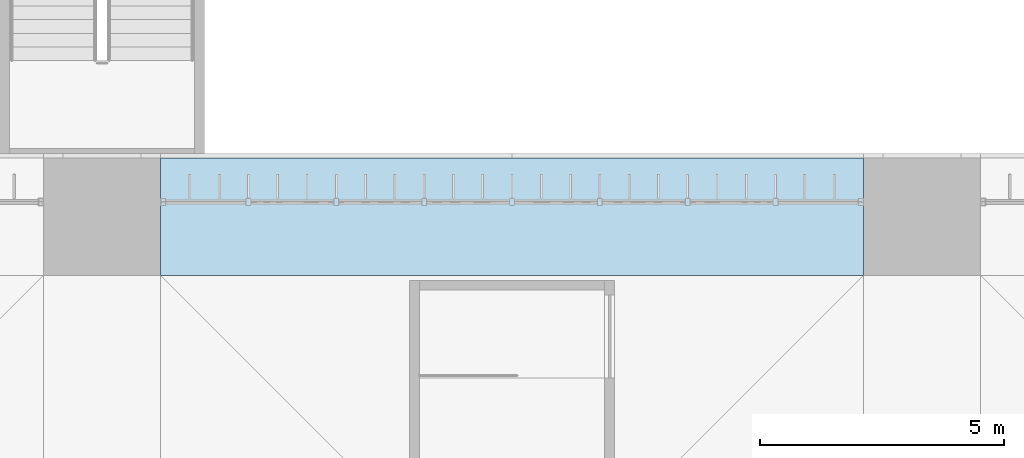
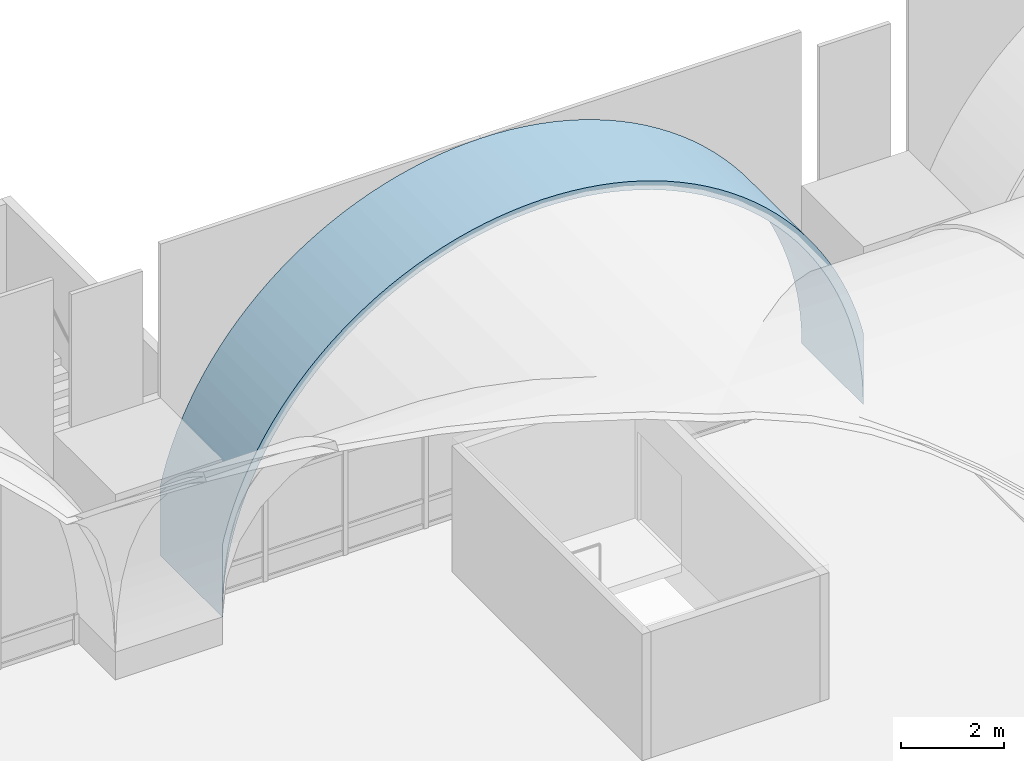
# One storey, part 137 of 169: 1 roof.
"""IFC4 building model written with IfcOpenShell, lengths in metres."""

import ifcopenshell
import ifcopenshell.guid

model = None  # the IFC model being written
_history = None  # IfcOwnerHistory: only IFC2X3 demands one
_inside = {}  # id of a spatial element -> (the spatial element, [elements in it])
_under = {}  # id of a project, library or spatial element -> (it, [spatial elements below it])
_declared = {}  # id of a project -> (the project, [libraries it declares])
_typed = {}  # id of a type object -> (the type object, [elements of that type])
_made_of = {}  # id of a material, layer set ... -> (it, [elements and type objects made of it])


def new_model(schema):
    """Start an empty IFC model of exactly this schema.

    Asked for "IFC4X3", IfcOpenShell would pick the latest addendum, in which some entities
    have other attributes; the version numbers below select the first issue.
    IFC2X3 requires an IfcOwnerHistory on every rooted entity: one is made here for all.
    """
    global model, _history
    if schema == "IFC4X3":
        model = ifcopenshell.file(schema_version=(4, 3, 0, 0))
    else:
        model = ifcopenshell.file(schema=schema)
    _inside.clear()
    _under.clear()
    _declared.clear()
    _typed.clear()
    _made_of.clear()
    _history = None
    if model.schema == "IFC2X3":
        org = make("IfcOrganization", Name="unknown")
        user = make(
            "IfcPersonAndOrganization",
            ThePerson=make("IfcPerson", FamilyName="unknown"),
            TheOrganization=org,
        )
        app = make(
            "IfcApplication",
            ApplicationDeveloper=org,
            Version="unknown",
            ApplicationFullName="unknown",
            ApplicationIdentifier="unknown",
        )
        _history = make(
            "IfcOwnerHistory",
            OwningUser=user,
            OwningApplication=app,
            ChangeAction="ADDED",
            CreationDate=0,
        )
    return model


def make(cls, **values):
    """One entity of the class cls with the attributes given. An attribute that is None is left unset."""
    return model.create_entity(
        cls, **{name: value for name, value in values.items() if value is not None}
    )


def rooted(cls, **values):
    """An entity with a GlobalId (a new one), such as an element, a storey or a relation."""
    return make(cls, GlobalId=ifcopenshell.guid.new(), OwnerHistory=_history, **values)


def si_unit(unit_type, name, prefix=None):
    """IfcSIUnit, for example si_unit("LENGTHUNIT", "METRE", prefix="MILLI")."""
    return make("IfcSIUnit", UnitType=unit_type, Prefix=prefix, Name=name)


def assignment(units):
    """IfcUnitAssignment: the units of a project."""
    return None if units is None else make("IfcUnitAssignment", Units=units)


def point(xyz):
    """IfcCartesianPoint."""
    return None if xyz is None else make("IfcCartesianPoint", Coordinates=xyz)


def direction(xyz):
    """IfcDirection."""
    return None if xyz is None else make("IfcDirection", DirectionRatios=xyz)


def frame(location, z_axis=None, x_axis=None):
    """IfcAxis2Placement3D, a coordinate frame: its origin and axes. An axis left out is left unset."""
    return make(
        "IfcAxis2Placement3D",
        Location=point(location),
        Axis=direction(z_axis),
        RefDirection=direction(x_axis),
    )


def origin():
    """The frame at (0, 0, 0) with its axes left unset."""
    return frame((0.0, 0.0, 0.0))


def place(relative_to, where):
    """IfcLocalPlacement: puts the frame where relative to a parent placement (None: the world)."""
    return make(
        "IfcLocalPlacement", PlacementRelTo=relative_to, RelativePlacement=where
    )


def context(
    kind, dimensions, precision=None, world=None, true_north=None, identifier=None
):
    """IfcGeometricRepresentationContext, for example the 3D "Model" context."""
    return make(
        "IfcGeometricRepresentationContext",
        ContextIdentifier=identifier,
        ContextType=kind,
        CoordinateSpaceDimension=dimensions,
        Precision=precision,
        WorldCoordinateSystem=world,
        TrueNorth=true_north,
    )


def subcontext(parent, identifier, kind, view, scale=None):
    """IfcGeometricRepresentationSubContext, for example "Body" below "Model"."""
    return make(
        "IfcGeometricRepresentationSubContext",
        ContextIdentifier=identifier,
        ContextType=kind,
        ParentContext=parent,
        TargetScale=scale,
        TargetView=view,
    )


def project(units=None, contexts=None):
    """IfcProject with its units and contexts."""
    return rooted(
        "IfcProject",
        Name="project",
        RepresentationContexts=contexts,
        UnitsInContext=assignment(units),
    )


def spatial(cls, under=None, at=None, **own):
    """A site, building, storey or space (cls), placed at a placement, below another one or the project."""
    s = rooted(cls, ObjectPlacement=at, **own)
    if under is not None:
        _under.setdefault(under.id(), (under, []))[1].append(s)
    return s


def point_list(points):
    """IfcCartesianPointList2D or 3D."""
    cls = (
        "IfcCartesianPointList2D" if len(points[0]) == 2 else "IfcCartesianPointList3D"
    )
    return make(cls, CoordList=points)


def polygons(points, faces, closed=None, point_numbers=None):
    """IfcPolygonalFaceSet: a face is its outer loop, then its inner loops; points numbered from 1."""
    made = []
    for loops in faces:
        if len(loops) == 1:
            made.append(make("IfcIndexedPolygonalFace", CoordIndex=loops[0]))
        else:
            made.append(
                make(
                    "IfcIndexedPolygonalFaceWithVoids",
                    CoordIndex=loops[0],
                    InnerCoordIndices=loops[1:],
                )
            )
    return make(
        "IfcPolygonalFaceSet",
        Coordinates=point_list(points),
        Closed=closed,
        Faces=made,
        PnIndex=point_numbers,
    )


def shape(context_of_items, identifier, shape_type, items):
    """IfcShapeRepresentation: the items that make up one representation, for example the "Body"."""
    return make(
        "IfcShapeRepresentation",
        ContextOfItems=context_of_items,
        RepresentationIdentifier=identifier,
        RepresentationType=shape_type,
        Items=items,
    )


def material(Name=None, Category=None):
    """IfcMaterial."""
    return make("IfcMaterial", Name=Name, Category=Category)


def layer(
    of_material, thickness, ventilated=None, Name=None, Category=None, Priority=None
):
    """IfcMaterialLayer: one layer of a wall or slab, of a material (None: an air gap)."""
    return make(
        "IfcMaterialLayer",
        Material=of_material,
        LayerThickness=thickness,
        IsVentilated=ventilated,
        Name=Name,
        Category=Category,
        Priority=Priority,
    )


def layer_set(layers, Name=None):
    """IfcMaterialLayerSet."""
    return make("IfcMaterialLayerSet", MaterialLayers=layers, LayerSetName=Name)


def made_of(thing, what):
    """Note that an element or type object is made of a material, layer set ...; save() writes the relation."""
    if what is not None:
        _made_of.setdefault(what.id(), (what, []))[1].append(thing)
    return thing


def type_object(cls, material=None, **own):
    """A type object (cls), such as IfcWallType, which elements share."""
    return made_of(rooted(cls, **own), material)


def element(
    cls,
    number,
    at=None,
    inside=None,
    cuts=None,
    type_object=None,
    material=None,
    context=None,
    identifier="Body",
    shape_type=None,
    held_by="IfcProductDefinitionShape",
    body=None,
    shapes=None,
    **own,
):
    """One element of the class cls, such as IfcWall. Its Tag is "e" and its number.

    at: its placement. inside: the storey or other place that contains it. cuts: it is an
    opening in that element (IfcRelVoidsElement). A single representation is given by context,
    identifier, shape_type and body (its items); several are given by shapes. held_by: the class
    of the entity that holds the representations. save() writes the other relations.
    """
    e = rooted(cls, Tag="e%d" % number, ObjectPlacement=at, **own)
    if body is not None:
        shapes = [shape(context, identifier, shape_type, body)]
    if shapes is not None:
        e.Representation = make(held_by, Representations=shapes)
    if inside is not None:
        _inside.setdefault(inside.id(), (inside, []))[1].append(e)
    if cuts is not None:
        rooted(
            "IfcRelVoidsElement", RelatingBuildingElement=cuts, RelatedOpeningElement=e
        )
    if type_object is not None:
        _typed.setdefault(type_object.id(), (type_object, []))[1].append(e)
    return made_of(e, material)


def aggregate(whole, parts):
    """IfcRelAggregates: a whole, such as a stair, and the parts it consists of."""
    return rooted("IfcRelAggregates", RelatingObject=whole, RelatedObjects=parts)


def save(model, path):
    """Write the relations noted so far, then the file.

    IfcRelAggregates (storeys below a building ...), IfcRelContainedInSpatialStructure (elements
    in a storey), IfcRelDefinesByType, IfcRelAssociatesMaterial and IfcRelDeclares: one each for
    every whole, place, type object, material and project.
    """
    for whole, parts in _under.values():
        aggregate(whole, parts)
    for where, things in _inside.values():
        rooted(
            "IfcRelContainedInSpatialStructure",
            RelatedElements=things,
            RelatingStructure=where,
        )
    for kind, things in _typed.values():
        rooted("IfcRelDefinesByType", RelatedObjects=things, RelatingType=kind)
    for what, things in _made_of.values():
        rooted("IfcRelAssociatesMaterial", RelatedObjects=things, RelatingMaterial=what)
    for by, libraries in _declared.values():
        rooted("IfcRelDeclares", RelatingContext=by, RelatedDefinitions=libraries)
    model.write(path)


model = new_model("IFC4")

# Units and contexts
model_context = context("Model", 3, precision=1e-05, world=origin(), true_north=direction((0.0, 1.0)))
body_context = subcontext(model_context, "Body", "Model", "MODEL_VIEW")
ifc_project = project(units=[si_unit("LENGTHUNIT", "METRE"), si_unit("AREAUNIT", "SQUARE_METRE"), si_unit("VOLUMEUNIT", "CUBIC_METRE"), si_unit("PLANEANGLEUNIT", "RADIAN"), si_unit("MASSUNIT", "GRAM", prefix="KILO")], contexts=[model_context])

# Site, building, storey
site_placement = place(None, origin())
site = spatial("IfcSite", under=ifc_project, at=site_placement, CompositionType="ELEMENT")
building_placement = place(site_placement, origin())
building = spatial("IfcBuilding", under=site, at=building_placement, Name="Verrick Yard Athletic Hall", CompositionType="ELEMENT")
storey_placement = place(building_placement, frame((0.0, 0.0, 4.39990234375)))
storey = spatial("IfcBuildingStorey", under=building, at=storey_placement, Name="L01", CompositionType="ELEMENT", Elevation=4.39990234375)

# Roof
ifc_material = material(Name="Concrete 35 MPa", Category="concrete")
ifc_layer = layer(ifc_material, 0.199951171875)
ifc_layer_set = layer_set([ifc_layer], Name="Arch rib 200")
roof_type = type_object("IfcRoofType", Name="Arch rib 200", PredefinedType="BARREL_ROOF", material=ifc_layer_set)
roof_placement = place(storey_placement, origin())
element("IfcRoof", 1, at=roof_placement, inside=storey, type_object=roof_type, Name="Vault rib N5", PredefinedType="BARREL_ROOF", context=body_context, shape_type="Tessellation", body=[
    polygons([(108.39990234375, 51.60009765625, 2.352294921875), (108.39990234375, 51.60009765625, 0.650146484375), (108.406982421875, 51.60009765625, 0.964111328125), (108.427490234375, 51.60009765625, 1.277587890625), (108.461669921875, 51.60009765625, 1.58984375), (108.509521484375, 51.60009765625, 1.900390625), (108.57080078125, 51.60009765625, 2.20849609375), (108.645263671875, 51.60009765625, 2.513671875), (108.733154296875, 51.60009765625, 2.815185546875), (108.834228515625, 51.60009765625, 3.112548828125), (108.947998046875, 51.60009765625, 3.405517578125), (109.07470703125, 51.60009765625, 3.693115234375), (109.21337890625, 51.60009765625, 3.974609375), (109.364501953125, 51.60009765625, 4.25), (109.527587890625, 51.60009765625, 4.518798828125), (109.7021484375, 51.60009765625, 4.77978515625), (109.887939453125, 51.60009765625, 5.033203125), (110.08447265625, 51.60009765625, 5.278076171875), (110.29150390625, 51.60009765625, 5.514404296875), (110.5087890625, 51.60009765625, 5.7412109375), (110.73583984375, 51.60009765625, 5.95849609375), (110.971923828125, 51.60009765625, 6.16552734375), (111.216796875, 51.60009765625, 6.3623046875), (111.47021484375, 51.60009765625, 6.548095703125), (111.7314453125, 51.60009765625, 6.722412109375), (112.0, 51.60009765625, 6.885498046875), (112.275390625, 51.60009765625, 7.03662109375), (112.55712890625, 51.60009765625, 7.175537109375), (112.8447265625, 51.60009765625, 7.302001953125), (113.137451171875, 51.60009765625, 7.416015625), (113.434814453125, 51.60009765625, 7.516845703125), (113.736572265625, 51.60009765625, 7.604736328125), (114.04150390625, 51.60009765625, 7.679443359375), (114.349609375, 51.60009765625, 7.74072265625), (114.66015625, 51.60009765625, 7.78857421875), (114.972412109375, 51.60009765625, 7.82275390625), (115.285888671875, 51.60009765625, 7.84326171875), (115.60009765625, 51.60009765625, 7.85009765625), (115.9140625, 51.60009765625, 7.84326171875), (116.2275390625, 51.60009765625, 7.82275390625), (116.539794921875, 51.60009765625, 7.78857421875), (116.850341796875, 51.60009765625, 7.74072265625), (117.158447265625, 51.60009765625, 7.679443359375), (117.46337890625, 51.60009765625, 7.604736328125), (117.76513671875, 51.60009765625, 7.516845703125), (118.0625, 51.60009765625, 7.416015625), (118.355224609375, 51.60009765625, 7.302001953125), (118.642822265625, 51.60009765625, 7.175537109375), (118.924560546875, 51.60009765625, 7.03662109375), (119.199951171875, 51.60009765625, 6.885498046875), (119.468505859375, 51.60009765625, 6.722412109375), (119.729736328125, 51.60009765625, 6.548095703125), (119.983154296875, 51.60009765625, 6.3623046875), (120.22802734375, 51.60009765625, 6.16552734375), (120.464111328125, 51.60009765625, 5.95849609375), (120.691162109375, 51.60009765625, 5.7412109375), (120.908447265625, 51.60009765625, 5.514404296875), (121.115478515625, 51.60009765625, 5.278076171875), (121.31201171875, 51.60009765625, 5.033203125), (121.497802734375, 51.60009765625, 4.77978515625), (121.67236328125, 51.60009765625, 4.518798828125), (121.83544921875, 51.60009765625, 4.25), (121.986572265625, 51.60009765625, 3.974609375), (122.12548828125, 51.60009765625, 3.693115234375), (122.251953125, 51.60009765625, 3.405517578125), (122.36572265625, 51.60009765625, 3.112548828125), (122.466796875, 51.60009765625, 2.815185546875), (122.5546875, 51.60009765625, 2.513671875), (122.62939453125, 51.60009765625, 2.20849609375), (122.690673828125, 51.60009765625, 1.900390625), (122.73828125, 51.60009765625, 1.58984375), (122.772705078125, 51.60009765625, 1.277587890625), (122.793212890625, 51.60009765625, 0.964111328125), (122.800048828125, 51.60009765625, 0.650146484375), (122.800048828125, 51.60009765625, 2.352294921875), (122.747802734375, 51.60009765625, 2.5654296875), (122.657470703125, 51.60009765625, 2.875244140625), (122.5537109375, 51.60009765625, 3.180908203125), (122.436767578125, 51.60009765625, 3.48193359375), (122.306640625, 51.60009765625, 3.777587890625), (122.163818359375, 51.60009765625, 4.06689453125), (122.008544921875, 51.60009765625, 4.35009765625), (121.841064453125, 51.60009765625, 4.6259765625), (121.66162109375, 51.60009765625, 4.89453125), (121.470703125, 51.60009765625, 5.15478515625), (121.268798828125, 51.60009765625, 5.40673828125), (121.055908203125, 51.60009765625, 5.6494140625), (120.83251953125, 51.60009765625, 5.8828125), (120.599365234375, 51.60009765625, 6.10595703125), (120.356689453125, 51.60009765625, 6.31884765625), (120.104736328125, 51.60009765625, 6.52099609375), (119.844482421875, 51.60009765625, 6.7119140625), (119.575927734375, 51.60009765625, 6.89111328125), (119.300048828125, 51.60009765625, 7.05859375), (119.016845703125, 51.60009765625, 7.214111328125), (118.727294921875, 51.60009765625, 7.356689453125), (118.431884765625, 51.60009765625, 7.48681640625), (118.130859375, 51.60009765625, 7.603759765625), (117.8251953125, 51.60009765625, 7.70751953125), (117.515380859375, 51.60009765625, 7.798095703125), (117.20166015625, 51.60009765625, 7.874755859375), (116.885009765625, 51.60009765625, 7.937744140625), (116.56591796875, 51.60009765625, 7.98681640625), (116.2451171875, 51.60009765625, 8.02197265625), (115.9228515625, 51.60009765625, 8.043212890625), (115.60009765625, 51.60009765625, 8.050048828125), (115.277099609375, 51.60009765625, 8.043212890625), (114.955078125, 51.60009765625, 8.02197265625), (114.634033203125, 51.60009765625, 7.98681640625), (114.31494140625, 51.60009765625, 7.937744140625), (113.998291015625, 51.60009765625, 7.874755859375), (113.684814453125, 51.60009765625, 7.798095703125), (113.374755859375, 51.60009765625, 7.70751953125), (113.069091796875, 51.60009765625, 7.603759765625), (112.76806640625, 51.60009765625, 7.48681640625), (112.47265625, 51.60009765625, 7.356689453125), (112.18310546875, 51.60009765625, 7.214111328125), (111.89990234375, 51.60009765625, 7.05859375), (111.6240234375, 51.60009765625, 6.89111328125), (111.35546875, 51.60009765625, 6.7119140625), (111.09521484375, 51.60009765625, 6.52099609375), (110.843505859375, 51.60009765625, 6.31884765625), (110.6005859375, 51.60009765625, 6.10595703125), (110.367431640625, 51.60009765625, 5.8828125), (110.14404296875, 51.60009765625, 5.6494140625), (109.931396484375, 51.60009765625, 5.40673828125), (109.729248046875, 51.60009765625, 5.15478515625), (109.538330078125, 51.60009765625, 4.89453125), (109.35888671875, 51.60009765625, 4.6259765625), (109.19140625, 51.60009765625, 4.35009765625), (109.0361328125, 51.60009765625, 4.06689453125), (108.893310546875, 51.60009765625, 3.777587890625), (108.76318359375, 51.60009765625, 3.48193359375), (108.646240234375, 51.60009765625, 3.180908203125), (108.54248046875, 51.60009765625, 2.875244140625), (108.4521484375, 51.60009765625, 2.5654296875), (108.39990234375, 54.0, 2.352294921875), (108.39990234375, 54.0, 0.650146484375), (108.406982421875, 54.0, 0.964111328125), (108.427490234375, 54.0, 1.277587890625), (108.461669921875, 54.0, 1.58984375), (108.509521484375, 54.0, 1.900390625), (108.57080078125, 54.0, 2.20849609375), (108.645263671875, 54.0, 2.513671875), (108.733154296875, 54.0, 2.815185546875), (108.834228515625, 54.0, 3.112548828125), (108.947998046875, 54.0, 3.405517578125), (109.07470703125, 54.0, 3.693115234375), (109.21337890625, 54.0, 3.974609375), (109.364501953125, 54.0, 4.25), (109.527587890625, 54.0, 4.518798828125), (109.7021484375, 54.0, 4.77978515625), (109.887939453125, 54.0, 5.033203125), (110.08447265625, 54.0, 5.278076171875), (110.29150390625, 54.0, 5.514404296875), (110.5087890625, 54.0, 5.7412109375), (110.73583984375, 54.0, 5.95849609375), (110.971923828125, 54.0, 6.16552734375), (111.216796875, 54.0, 6.3623046875), (111.47021484375, 54.0, 6.548095703125), (111.7314453125, 54.0, 6.722412109375), (112.0, 54.0, 6.885498046875), (112.275390625, 54.0, 7.03662109375), (112.55712890625, 54.0, 7.175537109375), (112.8447265625, 54.0, 7.302001953125), (113.137451171875, 54.0, 7.416015625), (113.434814453125, 54.0, 7.516845703125), (113.736572265625, 54.0, 7.604736328125), (114.04150390625, 54.0, 7.679443359375), (114.349609375, 54.0, 7.74072265625), (114.66015625, 54.0, 7.78857421875), (114.972412109375, 54.0, 7.82275390625), (115.285888671875, 54.0, 7.84326171875), (115.60009765625, 54.0, 7.85009765625), (115.9140625, 54.0, 7.84326171875), (116.2275390625, 54.0, 7.82275390625), (116.539794921875, 54.0, 7.78857421875), (116.850341796875, 54.0, 7.74072265625), (117.158447265625, 54.0, 7.679443359375), (117.46337890625, 54.0, 7.604736328125), (117.76513671875, 54.0, 7.516845703125), (118.0625, 54.0, 7.416015625), (118.355224609375, 54.0, 7.302001953125), (118.642822265625, 54.0, 7.175537109375), (118.924560546875, 54.0, 7.03662109375), (119.199951171875, 54.0, 6.885498046875), (119.468505859375, 54.0, 6.722412109375), (119.729736328125, 54.0, 6.548095703125), (119.983154296875, 54.0, 6.3623046875), (120.22802734375, 54.0, 6.16552734375), (120.464111328125, 54.0, 5.95849609375), (120.691162109375, 54.0, 5.7412109375), (120.908447265625, 54.0, 5.514404296875), (121.115478515625, 54.0, 5.278076171875), (121.31201171875, 54.0, 5.033203125), (121.497802734375, 54.0, 4.77978515625), (121.67236328125, 54.0, 4.518798828125), (121.83544921875, 54.0, 4.25), (121.986572265625, 54.0, 3.974609375), (122.12548828125, 54.0, 3.693115234375), (122.251953125, 54.0, 3.405517578125), (122.36572265625, 54.0, 3.112548828125), (122.466796875, 54.0, 2.815185546875), (122.5546875, 54.0, 2.513671875), (122.62939453125, 54.0, 2.20849609375), (122.690673828125, 54.0, 1.900390625), (122.73828125, 54.0, 1.58984375), (122.772705078125, 54.0, 1.277587890625), (122.793212890625, 54.0, 0.964111328125), (122.800048828125, 54.0, 0.650146484375), (122.800048828125, 54.0, 2.352294921875), (122.747802734375, 54.0, 2.5654296875), (122.657470703125, 54.0, 2.875244140625), (122.5537109375, 54.0, 3.180908203125), (122.436767578125, 54.0, 3.48193359375), (122.306640625, 54.0, 3.777587890625), (122.163818359375, 54.0, 4.06689453125), (122.008544921875, 54.0, 4.35009765625), (121.841064453125, 54.0, 4.6259765625), (121.66162109375, 54.0, 4.89453125), (121.470703125, 54.0, 5.15478515625), (121.268798828125, 54.0, 5.40673828125), (121.055908203125, 54.0, 5.6494140625), (120.83251953125, 54.0, 5.8828125), (120.599365234375, 54.0, 6.10595703125), (120.356689453125, 54.0, 6.31884765625), (120.104736328125, 54.0, 6.52099609375), (119.844482421875, 54.0, 6.7119140625), (119.575927734375, 54.0, 6.89111328125), (119.300048828125, 54.0, 7.05859375), (119.016845703125, 54.0, 7.214111328125), (118.727294921875, 54.0, 7.356689453125), (118.431884765625, 54.0, 7.48681640625), (118.130859375, 54.0, 7.603759765625), (117.8251953125, 54.0, 7.70751953125), (117.515380859375, 54.0, 7.798095703125), (117.20166015625, 54.0, 7.874755859375), (116.885009765625, 54.0, 7.937744140625), (116.56591796875, 54.0, 7.98681640625), (116.2451171875, 54.0, 8.02197265625), (115.9228515625, 54.0, 8.043212890625), (115.60009765625, 54.0, 8.050048828125), (115.277099609375, 54.0, 8.043212890625), (114.955078125, 54.0, 8.02197265625), (114.634033203125, 54.0, 7.98681640625), (114.31494140625, 54.0, 7.937744140625), (113.998291015625, 54.0, 7.874755859375), (113.684814453125, 54.0, 7.798095703125), (113.374755859375, 54.0, 7.70751953125), (113.069091796875, 54.0, 7.603759765625), (112.76806640625, 54.0, 7.48681640625), (112.47265625, 54.0, 7.356689453125), (112.18310546875, 54.0, 7.214111328125), (111.89990234375, 54.0, 7.05859375), (111.6240234375, 54.0, 6.89111328125), (111.35546875, 54.0, 6.7119140625), (111.09521484375, 54.0, 6.52099609375), (110.843505859375, 54.0, 6.31884765625), (110.6005859375, 54.0, 6.10595703125), (110.367431640625, 54.0, 5.8828125), (110.14404296875, 54.0, 5.6494140625), (109.931396484375, 54.0, 5.40673828125), (109.729248046875, 54.0, 5.15478515625), (109.538330078125, 54.0, 4.89453125), (109.35888671875, 54.0, 4.6259765625), (109.19140625, 54.0, 4.35009765625), (109.0361328125, 54.0, 4.06689453125), (108.893310546875, 54.0, 3.777587890625), (108.76318359375, 54.0, 3.48193359375), (108.646240234375, 54.0, 3.180908203125), (108.54248046875, 54.0, 2.875244140625), (108.4521484375, 54.0, 2.5654296875)], [[[1, 2, 3]], [[137, 139, 138]], [[136, 1, 3]], [[272, 139, 137]], [[136, 3, 4]], [[272, 140, 139]], [[136, 4, 5]], [[272, 141, 140]], [[136, 5, 6]], [[272, 142, 141]], [[136, 6, 7]], [[272, 143, 142]], [[136, 7, 8]], [[272, 144, 143]], [[136, 8, 9]], [[272, 145, 144]], [[136, 9, 10]], [[272, 146, 145]], [[136, 10, 11]], [[272, 147, 146]], [[136, 11, 12]], [[272, 148, 147]], [[136, 12, 13]], [[272, 149, 148]], [[73, 74, 75]], [[209, 211, 210]], [[72, 73, 75]], [[208, 211, 209]], [[71, 72, 75]], [[207, 211, 208]], [[70, 71, 75]], [[206, 211, 207]], [[69, 70, 75]], [[205, 211, 206]], [[68, 69, 75]], [[204, 211, 205]], [[67, 68, 75]], [[203, 211, 204]], [[66, 67, 75]], [[202, 211, 203]], [[65, 66, 75]], [[201, 211, 202]], [[64, 65, 75]], [[200, 211, 201]], [[63, 64, 75]], [[199, 211, 200]], [[63, 75, 76]], [[199, 212, 211]], [[63, 76, 77]], [[199, 213, 212]], [[62, 63, 77]], [[198, 213, 199]], [[62, 77, 78]], [[198, 214, 213]], [[61, 62, 78]], [[197, 214, 198]], [[61, 78, 79]], [[197, 215, 214]], [[60, 61, 79]], [[196, 215, 197]], [[60, 79, 80]], [[196, 216, 215]], [[59, 60, 80]], [[195, 216, 196]], [[59, 80, 81]], [[195, 217, 216]], [[58, 59, 81]], [[194, 217, 195]], [[58, 81, 82]], [[194, 218, 217]], [[57, 58, 82]], [[193, 218, 194]], [[57, 82, 83]], [[193, 219, 218]], [[56, 57, 83]], [[192, 219, 193]], [[56, 83, 84]], [[192, 220, 219]], [[55, 56, 84]], [[191, 220, 192]], [[55, 84, 85]], [[191, 221, 220]], [[54, 55, 85]], [[190, 221, 191]], [[54, 85, 86]], [[190, 222, 221]], [[53, 54, 86]], [[189, 222, 190]], [[53, 86, 87]], [[189, 223, 222]], [[52, 53, 87]], [[188, 223, 189]], [[52, 87, 88]], [[188, 224, 223]], [[51, 52, 88]], [[187, 224, 188]], [[51, 88, 89]], [[187, 225, 224]], [[50, 51, 89]], [[186, 225, 187]], [[50, 89, 90]], [[186, 226, 225]], [[49, 50, 90]], [[185, 226, 186]], [[49, 90, 91]], [[185, 227, 226]], [[48, 49, 91]], [[184, 227, 185]], [[48, 91, 92]], [[184, 228, 227]], [[47, 48, 92]], [[183, 228, 184]], [[47, 92, 93]], [[183, 229, 228]], [[46, 47, 93]], [[182, 229, 183]], [[46, 93, 94]], [[182, 230, 229]], [[45, 46, 94]], [[181, 230, 182]], [[45, 94, 95]], [[181, 231, 230]], [[44, 45, 95]], [[180, 231, 181]], [[44, 95, 96]], [[180, 232, 231]], [[43, 44, 96]], [[179, 232, 180]], [[43, 96, 97]], [[179, 233, 232]], [[42, 43, 97]], [[178, 233, 179]], [[42, 97, 98]], [[178, 234, 233]], [[41, 42, 98]], [[177, 234, 178]], [[41, 98, 99]], [[177, 235, 234]], [[40, 41, 99]], [[176, 235, 177]], [[40, 99, 100]], [[176, 236, 235]], [[39, 40, 100]], [[175, 236, 176]], [[39, 100, 101]], [[175, 237, 236]], [[38, 39, 101]], [[174, 237, 175]], [[38, 101, 102]], [[174, 238, 237]], [[37, 38, 102]], [[173, 238, 174]], [[37, 102, 103]], [[173, 239, 238]], [[36, 37, 103]], [[172, 239, 173]], [[36, 103, 104]], [[172, 240, 239]], [[35, 36, 104]], [[171, 240, 172]], [[35, 104, 105]], [[171, 241, 240]], [[34, 35, 105]], [[170, 241, 171]], [[34, 105, 106]], [[170, 242, 241]], [[33, 34, 106]], [[169, 242, 170]], [[33, 106, 107]], [[169, 243, 242]], [[32, 33, 107]], [[168, 243, 169]], [[32, 107, 108]], [[168, 244, 243]], [[31, 32, 108]], [[167, 244, 168]], [[31, 108, 109]], [[167, 245, 244]], [[30, 31, 109]], [[166, 245, 167]], [[30, 109, 110]], [[166, 246, 245]], [[29, 30, 110]], [[165, 246, 166]], [[29, 110, 111]], [[165, 247, 246]], [[28, 29, 111]], [[164, 247, 165]], [[28, 111, 112]], [[164, 248, 247]], [[27, 28, 112]], [[163, 248, 164]], [[27, 112, 113]], [[163, 249, 248]], [[26, 27, 113]], [[162, 249, 163]], [[26, 113, 114]], [[162, 250, 249]], [[25, 26, 114]], [[161, 250, 162]], [[25, 114, 115]], [[161, 251, 250]], [[24, 25, 115]], [[160, 251, 161]], [[24, 115, 116]], [[160, 252, 251]], [[23, 24, 116]], [[159, 252, 160]], [[23, 116, 117]], [[159, 253, 252]], [[22, 23, 117]], [[158, 253, 159]], [[22, 117, 118]], [[158, 254, 253]], [[21, 22, 118]], [[157, 254, 158]], [[21, 118, 119]], [[157, 255, 254]], [[20, 21, 119]], [[156, 255, 157]], [[20, 119, 120]], [[156, 256, 255]], [[19, 20, 120]], [[155, 256, 156]], [[19, 120, 121]], [[155, 257, 256]], [[18, 19, 121]], [[154, 257, 155]], [[18, 121, 122]], [[154, 258, 257]], [[17, 18, 122]], [[153, 258, 154]], [[17, 122, 123]], [[153, 259, 258]], [[16, 17, 123]], [[152, 259, 153]], [[16, 123, 124]], [[152, 260, 259]], [[15, 16, 124]], [[151, 260, 152]], [[15, 124, 125]], [[151, 261, 260]], [[14, 15, 125]], [[150, 261, 151]], [[14, 125, 126]], [[150, 262, 261]], [[13, 14, 126]], [[149, 262, 150]], [[136, 13, 126]], [[272, 262, 149]], [[136, 126, 127]], [[272, 263, 262]], [[136, 127, 128]], [[272, 264, 263]], [[136, 128, 129]], [[272, 265, 264]], [[136, 129, 130]], [[272, 266, 265]], [[136, 130, 131]], [[272, 267, 266]], [[136, 131, 132]], [[272, 268, 267]], [[136, 132, 133]], [[272, 269, 268]], [[136, 133, 134]], [[272, 270, 269]], [[134, 135, 136]], [[270, 272, 271]], [[1, 138, 2]], [[1, 137, 138]], [[2, 139, 3]], [[2, 138, 139]], [[3, 140, 4]], [[3, 139, 140]], [[4, 141, 5]], [[4, 140, 141]], [[5, 142, 6]], [[5, 141, 142]], [[6, 143, 7]], [[6, 142, 143]], [[7, 144, 8]], [[7, 143, 144]], [[8, 145, 9]], [[8, 144, 145]], [[9, 146, 10]], [[9, 145, 146]], [[10, 147, 11]], [[10, 146, 147]], [[11, 148, 12]], [[11, 147, 148]], [[12, 149, 13]], [[12, 148, 149]], [[13, 150, 14]], [[13, 149, 150]], [[14, 151, 15]], [[14, 150, 151]], [[15, 152, 16]], [[15, 151, 152]], [[16, 153, 17]], [[16, 152, 153]], [[17, 154, 18]], [[17, 153, 154]], [[18, 155, 19]], [[18, 154, 155]], [[19, 156, 20]], [[19, 155, 156]], [[20, 157, 21]], [[20, 156, 157]], [[21, 158, 22]], [[21, 157, 158]], [[22, 159, 23]], [[22, 158, 159]], [[23, 160, 24]], [[23, 159, 160]], [[24, 161, 25]], [[24, 160, 161]], [[25, 162, 26]], [[25, 161, 162]], [[26, 163, 27]], [[26, 162, 163]], [[27, 164, 28]], [[27, 163, 164]], [[28, 165, 29]], [[28, 164, 165]], [[29, 166, 30]], [[29, 165, 166]], [[30, 167, 31]], [[30, 166, 167]], [[31, 168, 32]], [[31, 167, 168]], [[32, 169, 33]], [[32, 168, 169]], [[33, 170, 34]], [[33, 169, 170]], [[34, 171, 35]], [[34, 170, 171]], [[35, 172, 36]], [[35, 171, 172]], [[36, 173, 37]], [[36, 172, 173]], [[37, 174, 38]], [[37, 173, 174]], [[38, 175, 39]], [[38, 174, 175]], [[39, 176, 40]], [[39, 175, 176]], [[40, 177, 41]], [[40, 176, 177]], [[41, 178, 42]], [[41, 177, 178]], [[42, 179, 43]], [[42, 178, 179]], [[43, 180, 44]], [[43, 179, 180]], [[44, 181, 45]], [[44, 180, 181]], [[45, 182, 46]], [[45, 181, 182]], [[46, 183, 47]], [[46, 182, 183]], [[47, 184, 48]], [[47, 183, 184]], [[48, 185, 49]], [[48, 184, 185]], [[49, 186, 50]], [[49, 185, 186]], [[50, 187, 51]], [[50, 186, 187]], [[51, 188, 52]], [[51, 187, 188]], [[52, 189, 53]], [[52, 188, 189]], [[53, 190, 54]], [[53, 189, 190]], [[54, 191, 55]], [[54, 190, 191]], [[55, 192, 56]], [[55, 191, 192]], [[56, 193, 57]], [[56, 192, 193]], [[57, 194, 58]], [[57, 193, 194]], [[58, 195, 59]], [[58, 194, 195]], [[59, 196, 60]], [[59, 195, 196]], [[60, 197, 61]], [[60, 196, 197]], [[61, 198, 62]], [[61, 197, 198]], [[62, 199, 63]], [[62, 198, 199]], [[63, 200, 64]], [[63, 199, 200]], [[64, 201, 65]], [[64, 200, 201]], [[65, 202, 66]], [[65, 201, 202]], [[66, 203, 67]], [[66, 202, 203]], [[67, 204, 68]], [[67, 203, 204]], [[68, 205, 69]], [[68, 204, 205]], [[69, 206, 70]], [[69, 205, 206]], [[70, 207, 71]], [[70, 206, 207]], [[71, 208, 72]], [[71, 207, 208]], [[72, 209, 73]], [[72, 208, 209]], [[73, 210, 74]], [[73, 209, 210]], [[74, 211, 75]], [[74, 210, 211]], [[75, 212, 76]], [[75, 211, 212]], [[76, 213, 77]], [[76, 212, 213]], [[77, 214, 78]], [[77, 213, 214]], [[78, 215, 79]], [[78, 214, 215]], [[79, 216, 80]], [[79, 215, 216]], [[80, 217, 81]], [[80, 216, 217]], [[81, 218, 82]], [[81, 217, 218]], [[82, 219, 83]], [[82, 218, 219]], [[83, 220, 84]], [[83, 219, 220]], [[84, 221, 85]], [[84, 220, 221]], [[85, 222, 86]], [[85, 221, 222]], [[86, 223, 87]], [[86, 222, 223]], [[87, 224, 88]], [[87, 223, 224]], [[88, 225, 89]], [[88, 224, 225]], [[89, 226, 90]], [[89, 225, 226]], [[90, 227, 91]], [[90, 226, 227]], [[91, 228, 92]], [[91, 227, 228]], [[92, 229, 93]], [[92, 228, 229]], [[93, 230, 94]], [[93, 229, 230]], [[94, 231, 95]], [[94, 230, 231]], [[95, 232, 96]], [[95, 231, 232]], [[96, 233, 97]], [[96, 232, 233]], [[97, 234, 98]], [[97, 233, 234]], [[98, 235, 99]], [[98, 234, 235]], [[99, 236, 100]], [[99, 235, 236]], [[100, 237, 101]], [[100, 236, 237]], [[101, 238, 102]], [[101, 237, 238]], [[102, 239, 103]], [[102, 238, 239]], [[103, 240, 104]], [[103, 239, 240]], [[104, 241, 105]], [[104, 240, 241]], [[105, 242, 106]], [[105, 241, 242]], [[106, 243, 107]], [[106, 242, 243]], [[107, 244, 108]], [[107, 243, 244]], [[108, 245, 109]], [[108, 244, 245]], [[109, 246, 110]], [[109, 245, 246]], [[110, 247, 111]], [[110, 246, 247]], [[111, 248, 112]], [[111, 247, 248]], [[112, 249, 113]], [[112, 248, 249]], [[113, 250, 114]], [[113, 249, 250]], [[114, 251, 115]], [[114, 250, 251]], [[115, 252, 116]], [[115, 251, 252]], [[116, 253, 117]], [[116, 252, 253]], [[117, 254, 118]], [[117, 253, 254]], [[118, 255, 119]], [[118, 254, 255]], [[119, 256, 120]], [[119, 255, 256]], [[120, 257, 121]], [[120, 256, 257]], [[121, 258, 122]], [[121, 257, 258]], [[122, 259, 123]], [[122, 258, 259]], [[123, 260, 124]], [[123, 259, 260]], [[124, 261, 125]], [[124, 260, 261]], [[125, 262, 126]], [[125, 261, 262]], [[126, 263, 127]], [[126, 262, 263]], [[127, 264, 128]], [[127, 263, 264]], [[128, 265, 129]], [[128, 264, 265]], [[129, 266, 130]], [[129, 265, 266]], [[130, 267, 131]], [[130, 266, 267]], [[131, 268, 132]], [[131, 267, 268]], [[132, 269, 133]], [[132, 268, 269]], [[133, 270, 134]], [[133, 269, 270]], [[134, 271, 135]], [[134, 270, 271]], [[135, 272, 136]], [[135, 271, 272]], [[136, 137, 1]], [[136, 272, 137]]], closed=True),
])

save(model, "model.ifc")
